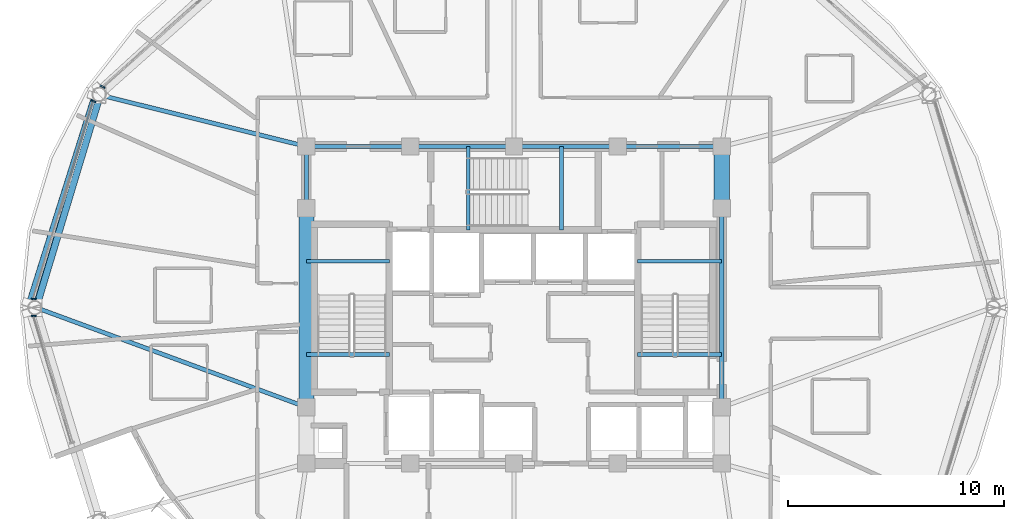
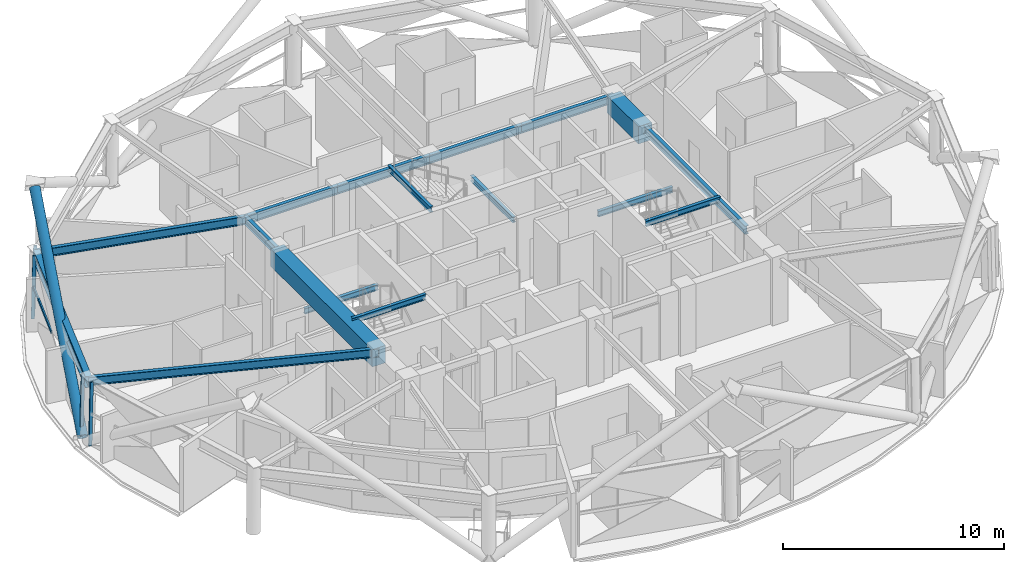
# One storey, part 4 of 18: 17 beams, 6 members, 3 elements without a shape of their own.
"""IFC4 building model written with IfcOpenShell, lengths in metres."""

import ifcopenshell
import ifcopenshell.guid

model = None  # the IFC model being written
_history = None  # IfcOwnerHistory: only IFC2X3 demands one
_inside = {}  # id of a spatial element -> (the spatial element, [elements in it])
_under = {}  # id of a project, library or spatial element -> (it, [spatial elements below it])
_declared = {}  # id of a project -> (the project, [libraries it declares])
_typed = {}  # id of a type object -> (the type object, [elements of that type])
_made_of = {}  # id of a material, layer set ... -> (it, [elements and type objects made of it])


def new_model(schema):
    """Start an empty IFC model of exactly this schema.

    Asked for "IFC4X3", IfcOpenShell would pick the latest addendum, in which some entities
    have other attributes; the version numbers below select the first issue.
    IFC2X3 requires an IfcOwnerHistory on every rooted entity: one is made here for all.
    """
    global model, _history
    if schema == "IFC4X3":
        model = ifcopenshell.file(schema_version=(4, 3, 0, 0))
    else:
        model = ifcopenshell.file(schema=schema)
    _inside.clear()
    _under.clear()
    _declared.clear()
    _typed.clear()
    _made_of.clear()
    _history = None
    if model.schema == "IFC2X3":
        org = make("IfcOrganization", Name="unknown")
        user = make(
            "IfcPersonAndOrganization",
            ThePerson=make("IfcPerson", FamilyName="unknown"),
            TheOrganization=org,
        )
        app = make(
            "IfcApplication",
            ApplicationDeveloper=org,
            Version="unknown",
            ApplicationFullName="unknown",
            ApplicationIdentifier="unknown",
        )
        _history = make(
            "IfcOwnerHistory",
            OwningUser=user,
            OwningApplication=app,
            ChangeAction="ADDED",
            CreationDate=0,
        )
    return model


def make(cls, **values):
    """One entity of the class cls with the attributes given. An attribute that is None is left unset."""
    return model.create_entity(
        cls, **{name: value for name, value in values.items() if value is not None}
    )


def rooted(cls, **values):
    """An entity with a GlobalId (a new one), such as an element, a storey or a relation."""
    return make(cls, GlobalId=ifcopenshell.guid.new(), OwnerHistory=_history, **values)


def si_unit(unit_type, name, prefix=None):
    """IfcSIUnit, for example si_unit("LENGTHUNIT", "METRE", prefix="MILLI")."""
    return make("IfcSIUnit", UnitType=unit_type, Prefix=prefix, Name=name)


def assignment(units):
    """IfcUnitAssignment: the units of a project."""
    return None if units is None else make("IfcUnitAssignment", Units=units)


def point(xyz):
    """IfcCartesianPoint."""
    return None if xyz is None else make("IfcCartesianPoint", Coordinates=xyz)


def direction(xyz):
    """IfcDirection."""
    return None if xyz is None else make("IfcDirection", DirectionRatios=xyz)


def frame(location, z_axis=None, x_axis=None):
    """IfcAxis2Placement3D, a coordinate frame: its origin and axes. An axis left out is left unset."""
    return make(
        "IfcAxis2Placement3D",
        Location=point(location),
        Axis=direction(z_axis),
        RefDirection=direction(x_axis),
    )


def frame_2d(location, x_axis=None):
    """IfcAxis2Placement2D, a coordinate frame in the plane: its origin and x axis."""
    return make(
        "IfcAxis2Placement2D", Location=point(location), RefDirection=direction(x_axis)
    )


def origin():
    """The frame at (0, 0, 0) with its axes left unset."""
    return frame((0.0, 0.0, 0.0))


def origin_2d():
    """The frame at (0, 0) in the plane with its x axis left unset."""
    return frame_2d((0.0, 0.0))


def place(relative_to, where):
    """IfcLocalPlacement: puts the frame where relative to a parent placement (None: the world)."""
    return make(
        "IfcLocalPlacement", PlacementRelTo=relative_to, RelativePlacement=where
    )


def context(
    kind, dimensions, precision=None, world=None, true_north=None, identifier=None
):
    """IfcGeometricRepresentationContext, for example the 3D "Model" context."""
    return make(
        "IfcGeometricRepresentationContext",
        ContextIdentifier=identifier,
        ContextType=kind,
        CoordinateSpaceDimension=dimensions,
        Precision=precision,
        WorldCoordinateSystem=world,
        TrueNorth=true_north,
    )


def subcontext(parent, identifier, kind, view, scale=None):
    """IfcGeometricRepresentationSubContext, for example "Body" below "Model"."""
    return make(
        "IfcGeometricRepresentationSubContext",
        ContextIdentifier=identifier,
        ContextType=kind,
        ParentContext=parent,
        TargetScale=scale,
        TargetView=view,
    )


def project(units=None, contexts=None):
    """IfcProject with its units and contexts."""
    return rooted(
        "IfcProject",
        Name="project",
        RepresentationContexts=contexts,
        UnitsInContext=assignment(units),
    )


def spatial(cls, under=None, at=None, **own):
    """A site, building, storey or space (cls), placed at a placement, below another one or the project."""
    s = rooted(cls, ObjectPlacement=at, **own)
    if under is not None:
        _under.setdefault(under.id(), (under, []))[1].append(s)
    return s


def profile(cls, at=None, kind="AREA", **sizes):
    """A parametric profile (cls). Its sizes go by their IFC names, for example OverallWidth=200.0."""
    return make(cls, ProfileType=kind, Position=at, **sizes)


def rectangle(**sizes):
    """IfcRectangleProfileDef."""
    return profile("IfcRectangleProfileDef", **sizes)


def hollow_rectangle(**sizes):
    """IfcRectangleHollowProfileDef."""
    return profile("IfcRectangleHollowProfileDef", **sizes)


def hollow_circle(**sizes):
    """IfcCircleHollowProfileDef."""
    return profile("IfcCircleHollowProfileDef", **sizes)


def i_section(**sizes):
    """IfcIShapeProfileDef."""
    return profile("IfcIShapeProfileDef", **sizes)


def extrude(swept, where, along, depth):
    """IfcExtrudedAreaSolid: the profile swept, set in the frame where, extruded along a direction by depth."""
    return make(
        "IfcExtrudedAreaSolid",
        SweptArea=swept,
        Position=where,
        ExtrudedDirection=direction(along),
        Depth=depth,
    )


def shape(context_of_items, identifier, shape_type, items):
    """IfcShapeRepresentation: the items that make up one representation, for example the "Body"."""
    return make(
        "IfcShapeRepresentation",
        ContextOfItems=context_of_items,
        RepresentationIdentifier=identifier,
        RepresentationType=shape_type,
        Items=items,
    )


def material(Name=None, Category=None):
    """IfcMaterial."""
    return make("IfcMaterial", Name=Name, Category=Category)


def layer(
    of_material, thickness, ventilated=None, Name=None, Category=None, Priority=None
):
    """IfcMaterialLayer: one layer of a wall or slab, of a material (None: an air gap)."""
    return make(
        "IfcMaterialLayer",
        Material=of_material,
        LayerThickness=thickness,
        IsVentilated=ventilated,
        Name=Name,
        Category=Category,
        Priority=Priority,
    )


def layer_set(layers, Name=None):
    """IfcMaterialLayerSet."""
    return make("IfcMaterialLayerSet", MaterialLayers=layers, LayerSetName=Name)


def material_profile(
    of_material, cross_section, Name=None, Category=None, Priority=None
):
    """IfcMaterialProfile: a cross section and its material."""
    return make(
        "IfcMaterialProfile",
        Name=Name,
        Material=of_material,
        Profile=cross_section,
        Priority=Priority,
        Category=Category,
    )


def profile_set(profiles, Name=None, composite=None):
    """IfcMaterialProfileSet."""
    return make(
        "IfcMaterialProfileSet",
        Name=Name,
        MaterialProfiles=profiles,
        CompositeProfile=composite,
    )


def made_of(thing, what):
    """Note that an element or type object is made of a material, layer set ...; save() writes the relation."""
    if what is not None:
        _made_of.setdefault(what.id(), (what, []))[1].append(thing)
    return thing


def type_object(cls, material=None, **own):
    """A type object (cls), such as IfcWallType, which elements share."""
    return made_of(rooted(cls, **own), material)


def element(
    cls,
    number,
    at=None,
    inside=None,
    cuts=None,
    type_object=None,
    material=None,
    context=None,
    identifier="Body",
    shape_type=None,
    held_by="IfcProductDefinitionShape",
    body=None,
    shapes=None,
    **own,
):
    """One element of the class cls, such as IfcWall. Its Tag is "e" and its number.

    at: its placement. inside: the storey or other place that contains it. cuts: it is an
    opening in that element (IfcRelVoidsElement). A single representation is given by context,
    identifier, shape_type and body (its items); several are given by shapes. held_by: the class
    of the entity that holds the representations. save() writes the other relations.
    """
    e = rooted(cls, Tag="e%d" % number, ObjectPlacement=at, **own)
    if body is not None:
        shapes = [shape(context, identifier, shape_type, body)]
    if shapes is not None:
        e.Representation = make(held_by, Representations=shapes)
    if inside is not None:
        _inside.setdefault(inside.id(), (inside, []))[1].append(e)
    if cuts is not None:
        rooted(
            "IfcRelVoidsElement", RelatingBuildingElement=cuts, RelatedOpeningElement=e
        )
    if type_object is not None:
        _typed.setdefault(type_object.id(), (type_object, []))[1].append(e)
    return made_of(e, material)


def aggregate(whole, parts):
    """IfcRelAggregates: a whole, such as a stair, and the parts it consists of."""
    return rooted("IfcRelAggregates", RelatingObject=whole, RelatedObjects=parts)


def save(model, path):
    """Write the relations noted so far, then the file.

    IfcRelAggregates (storeys below a building ...), IfcRelContainedInSpatialStructure (elements
    in a storey), IfcRelDefinesByType, IfcRelAssociatesMaterial and IfcRelDeclares: one each for
    every whole, place, type object, material and project.
    """
    for whole, parts in _under.values():
        aggregate(whole, parts)
    for where, things in _inside.values():
        rooted(
            "IfcRelContainedInSpatialStructure",
            RelatedElements=things,
            RelatingStructure=where,
        )
    for kind, things in _typed.values():
        rooted("IfcRelDefinesByType", RelatedObjects=things, RelatingType=kind)
    for what, things in _made_of.values():
        rooted("IfcRelAssociatesMaterial", RelatedObjects=things, RelatingMaterial=what)
    for by, libraries in _declared.values():
        rooted("IfcRelDeclares", RelatingContext=by, RelatedDefinitions=libraries)
    model.write(path)


model = new_model("IFC4")

# Units and contexts
model_context = context("Model", 3, precision=1e-05, world=origin(), true_north=direction((0.0, 1.0)))
body_context = subcontext(model_context, "Body", "Model", "MODEL_VIEW")
ifc_project = project(units=[si_unit("LENGTHUNIT", "METRE"), si_unit("AREAUNIT", "SQUARE_METRE"), si_unit("VOLUMEUNIT", "CUBIC_METRE"), si_unit("PLANEANGLEUNIT", "RADIAN"), si_unit("MASSUNIT", "GRAM", prefix="KILO")], contexts=[model_context])

# Site, building, storey
site_placement = place(None, origin())
site = spatial("IfcSite", under=ifc_project, at=site_placement, CompositionType="ELEMENT")
building_placement = place(site_placement, origin())
building = spatial("IfcBuilding", under=site, at=building_placement, Name="Vantalir Tower", CompositionType="ELEMENT")
storey_placement = place(building_placement, frame((0.0, 0.0, 212.39990234375)))
storey = spatial("IfcBuildingStorey", under=building, at=storey_placement, Name="L53", CompositionType="ELEMENT", Elevation=212.39990234375)

# Beams
ifc_material_1 = material(Name="Concrete C60/75", Category="concrete")
ifc_material_profile_1 = material_profile(ifc_material_1, rectangle(XDim=0.699951171875, YDim=0.949951171875, at=origin_2d()), Name="Concrete C60/75")
ifc_profile_set_1 = profile_set([ifc_material_profile_1], Name="Concrete C60/75")
beam_type_1 = type_object("IfcBeamType", Name="BM-CB-700x950", PredefinedType="USERDEFINED", material=ifc_profile_set_1)
beam_1_placement = place(storey_placement, frame((41.10009765625, 29.60009765625, 3.09521484375), z_axis=(0.0, 1.0, 0.0), x_axis=(-1.0, 0.0, 0.0)))
element("IfcBeam", 1, at=beam_1_placement, inside=storey, type_object=beam_type_1, Name="L53 Core Coupling Girder 07", ObjectType="GIRDER", PredefinedType="USERDEFINED", context=body_context, shape_type="SweptSolid", body=[
    extrude(rectangle(XDim=0.699951171875, YDim=0.949951171875, at=origin_2d()), origin(), (0.0, 0.0, 1.0), 2.849853515625),
])
beam_2_placement = place(storey_placement, frame((21.89990234375, 29.60009765625, 3.09521484375), z_axis=(0.0, -1.0, 0.0), x_axis=(1.0, 0.0, 0.0)))
element("IfcBeam", 2, at=beam_2_placement, inside=storey, type_object=beam_type_1, Name="L53 Core Coupling Girder 13", ObjectType="GIRDER", PredefinedType="USERDEFINED", context=body_context, shape_type="SweptSolid", body=[
    extrude(rectangle(XDim=0.699951171875, YDim=0.949951171875, at=origin_2d()), origin(), (0.0, 0.0, 1.0), 9.2001953125),
])
ifc_material_2 = material(Name="Steel S355", Category="steel")
ifc_material_profile_2 = material_profile(ifc_material_2, i_section(OverallWidth=0.166015625, OverallDepth=0.306884765625, WebThickness=0.006591796875, FlangeThickness=0.01171875, at=origin_2d()), Name="Steel S355")
ifc_profile_set_2 = profile_set([ifc_material_profile_2], Name="Steel S355")
beam_type_2 = type_object("IfcBeamType", Name="BM-JS-305x165", PredefinedType="JOIST", material=ifc_profile_set_2)
for number, where, z_axis, x_axis, name in (
    (3, (21.89990234375, 22.8349609375, 3.59619140625), (1.0, 0.0, 0.0), (0.0, 1.0, 0.0), "L54 Stair ST1 Well Nosing Trimmer Beam"),
    (4, (21.89990234375, 27.14501953125, 1.52099609375), (1.0, 0.0, 0.0), (0.0, 1.0, 0.0), "L53 Stair ST1 Half-Landing Support Beam"),
):
    element("IfcBeam", number, at=place(storey_placement, frame(where, z_axis=z_axis, x_axis=x_axis)), inside=storey, type_object=beam_type_2, Name=name, PredefinedType="JOIST", context=body_context, shape_type="SweptSolid", body=[
        extrude(i_section(OverallWidth=0.166015625, OverallDepth=0.306884765625, WebThickness=0.006591796875, FlangeThickness=0.01171875, at=origin_2d()), origin(), (0.0, 0.0, 1.0), 3.840087890625),
    ])
for number, where, z_axis, x_axis, name in (
    (5, (37.2099609375, 22.8349609375, 3.59619140625), (1.0, 0.0, 0.0), (0.0, 1.0, 0.0), "L54 Stair ST2 Well Nosing Trimmer Beam"),
    (6, (37.2099609375, 27.14501953125, 1.52099609375), (1.0, 0.0, 0.0), (0.0, 1.0, 0.0), "L53 Stair ST2 Half-Landing Support Beam"),
):
    element("IfcBeam", number, at=place(storey_placement, frame(where, z_axis=z_axis, x_axis=x_axis)), inside=storey, type_object=beam_type_2, Name=name, PredefinedType="JOIST", context=body_context, shape_type="SweptSolid", body=[
        extrude(i_section(OverallWidth=0.166015625, OverallDepth=0.306884765625, WebThickness=0.006591796875, FlangeThickness=0.01171875, at=origin_2d()), origin(), (0.0, 0.0, 1.0), 3.89013671875),
    ])
for number, where, z_axis, x_axis, name in (
    (7, (29.385009765625, 28.60009765625, 3.59619140625), (0.0, 1.0, 0.0), (-1.0, 0.0, 0.0), "L54 Stair ST3 Well Nosing Trimmer Beam"),
    (8, (33.695068359375, 28.60009765625, 1.52099609375), (0.0, 1.0, 0.0), (-1.0, 0.0, 0.0), "L53 Stair ST3 Half-Landing Support Beam"),
):
    element("IfcBeam", number, at=place(storey_placement, frame(where, z_axis=z_axis, x_axis=x_axis)), inside=storey, type_object=beam_type_2, Name=name, PredefinedType="JOIST", context=body_context, shape_type="SweptSolid", body=[
        extrude(i_section(OverallWidth=0.166015625, OverallDepth=0.306884765625, WebThickness=0.006591796875, FlangeThickness=0.01171875, at=origin_2d()), origin(), (0.0, 0.0, 1.0), 3.849853515625),
    ])
ifc_material_profile_3 = material_profile(ifc_material_2, i_section(OverallWidth=0.19189453125, OverallDepth=0.462890625, WebThickness=0.010498046875, FlangeThickness=0.017578125, at=origin_2d()), Name="Steel S355")
ifc_profile_set_3 = profile_set([ifc_material_profile_3], Name="Steel S355")
beam_type_3 = type_object("IfcBeamType", Name="BM-RB-457x191", PredefinedType="BEAM", material=ifc_profile_set_3)
beam_3_placement = place(storey_placement, frame((41.10009765625, 20.39990234375, 3.338134765625), z_axis=(0.0, 1.0, 0.0), x_axis=(-1.0, 0.0, 0.0)))
element("IfcBeam", 9, at=beam_3_placement, inside=storey, type_object=beam_type_3, Name="L53 Core Coupling Girder 06", PredefinedType="BEAM", context=body_context, shape_type="SweptSolid", body=[
    extrude(i_section(OverallWidth=0.19189453125, OverallDepth=0.462890625, WebThickness=0.010498046875, FlangeThickness=0.017578125, at=origin_2d()), origin(), (0.0, 0.0, 1.0), 9.2001953125),
])
for number, where, z_axis, x_axis, name in (
    (10, (41.10009765625, 32.449951171875, 3.338134765625), (-1.0, 0.0, 0.0), (0.0, -1.0, 0.0), "L53 Core Coupling Girder 08"),
    (11, (36.300048828125, 32.449951171875, 3.338134765625), (-1.0, 0.0, 0.0), (0.0, -1.0, 0.0), "L53 Core Coupling Girder 09"),
    (12, (31.5, 32.449951171875, 3.338134765625), (-1.0, 0.0, 0.0), (0.0, -1.0, 0.0), "L53 Core Coupling Girder 10"),
    (13, (26.699951171875, 32.449951171875, 3.338134765625), (-1.0, 0.0, 0.0), (0.0, -1.0, 0.0), "L53 Core Coupling Girder 11"),
):
    element("IfcBeam", number, at=place(storey_placement, frame(where, z_axis=z_axis, x_axis=x_axis)), inside=storey, type_object=beam_type_3, Name=name, PredefinedType="BEAM", context=body_context, shape_type="SweptSolid", body=[
        extrude(i_section(OverallWidth=0.19189453125, OverallDepth=0.462890625, WebThickness=0.010498046875, FlangeThickness=0.017578125, at=origin_2d()), origin(), (0.0, 0.0, 1.0), 4.800048828125),
    ])
beam_4_placement = place(storey_placement, frame((21.89990234375, 32.449951171875, 3.338134765625), z_axis=(0.0, -1.0, 0.0), x_axis=(1.0, 0.0, 0.0)))
element("IfcBeam", 14, at=beam_4_placement, inside=storey, type_object=beam_type_3, Name="L53 Core Coupling Girder 12", PredefinedType="BEAM", context=body_context, shape_type="SweptSolid", body=[
    extrude(i_section(OverallWidth=0.19189453125, OverallDepth=0.462890625, WebThickness=0.010498046875, FlangeThickness=0.017578125, at=origin_2d()), origin(), (0.0, 0.0, 1.0), 2.849853515625),
])
beam_5_placement = place(storey_placement, frame((12.3720703125, 34.830078125, 3.338134765625), z_axis=(0.970186354862, -0.242360138717, 0.0), x_axis=(0.242360138717, 0.970186354862, 0.0)))
element("IfcBeam", 15, at=beam_5_placement, inside=storey, type_object=beam_type_3, Name="L53 Radial Floor Beam 06", PredefinedType="BEAM", context=body_context, shape_type="SweptSolid", body=[
    extrude(i_section(OverallWidth=0.19189453125, OverallDepth=0.462890625, WebThickness=0.010498046875, FlangeThickness=0.017578125, at=origin_2d()), origin(), (0.0, 0.0, 1.0), 9.820556640625),
])
beam_6_placement = place(storey_placement, frame((9.4130859375, 25.0, 3.338134765625), z_axis=(0.93835063419, -0.345684953846, 0.0), x_axis=(0.345684953846, 0.93835063419, 0.0)))
element("IfcBeam", 16, at=beam_6_placement, inside=storey, type_object=beam_type_3, Name="L53 Radial Floor Beam 07", PredefinedType="BEAM", context=body_context, shape_type="SweptSolid", body=[
    extrude(i_section(OverallWidth=0.19189453125, OverallDepth=0.462890625, WebThickness=0.010498046875, FlangeThickness=0.017578125, at=origin_2d()), origin(), (0.0, 0.0, 1.0), 13.30712890625),
])
ifc_material_3 = material(Name="Steel S460", Category="steel")
ifc_material_profile_4 = material_profile(ifc_material_3, i_section(OverallWidth=0.306884765625, OverallDepth=0.6201171875, WebThickness=0.01416015625, FlangeThickness=0.023681640625, at=origin_2d()), Name="Steel S460")
ifc_profile_set_4 = profile_set([ifc_material_profile_4], Name="Steel S460")
beam_type_4 = type_object("IfcBeamType", Name="BM-RG-610x305", PredefinedType="USERDEFINED", material=ifc_profile_set_4)
beam_7_placement = place(storey_placement, frame((12.3720703125, 34.830078125, 3.260009765625), z_axis=(-0.288237950432, -0.957558814868, 0.0), x_axis=(0.957558814868, -0.288237950432, 0.0)))
element("IfcBeam", 17, at=beam_7_placement, inside=storey, type_object=beam_type_4, Name="L53 Circumferential Ring Girder 06", ObjectType="GIRDER", PredefinedType="USERDEFINED", context=body_context, shape_type="SweptSolid", body=[
    extrude(i_section(OverallWidth=0.306884765625, OverallDepth=0.6201171875, WebThickness=0.01416015625, FlangeThickness=0.023681640625, at=origin_2d()), origin(), (0.0, 0.0, 1.0), 10.265869140625),
])

# Curtain wall, member
ifc_material_4 = material(Name="Champagne-silver PVDF aluminium and double-silver Low-E glass", Category="aluminium")
ifc_layer = layer(ifc_material_4, 0.2099609375)
ifc_layer_set = layer_set([ifc_layer], Name="Champagne-silver PVDF aluminium and double-silver Low-E glass")
curtain_wall_type = type_object("IfcCurtainWallType", Name="CW-DIAMOND-Z3", PredefinedType="USERDEFINED", material=ifc_layer_set)
curtain_wall_1_placement = place(storey_placement, origin())
curtain_wall_1 = element("IfcCurtainWall", 18, at=curtain_wall_1_placement, inside=storey, type_object=curtain_wall_type, Name="L53 Quilted Pyramid-Diamond Curtain Wall S05", ObjectType="UNITISED CURTAIN WALL", PredefinedType="USERDEFINED")
ifc_material_5 = material(Name="Champagne-silver PVDF aluminium 6063-T6", Category="aluminium")
ifc_material_profile_5 = material_profile(ifc_material_5, hollow_rectangle(XDim=0.070068359375, YDim=0.1650390625, WallThickness=0.00390625, at=origin_2d()), Name="Champagne-silver PVDF aluminium 6063-T6")
ifc_profile_set_5 = profile_set([ifc_material_profile_5], Name="Champagne-silver PVDF aluminium 6063-T6")
member_type_1 = type_object("IfcMemberType", Name="CWM-165x70", PredefinedType="MULLION", material=ifc_profile_set_5)
member_1_placement = place(storey_placement, frame((12.448974609375, 35.23095703125, 0.045166015625), z_axis=(0.018657343334, -0.009468952444, 0.99978109728), x_axis=(0.452569338671, 0.891729215455, 0.0)))
member_1 = element("IfcMember", 19, at=member_1_placement, type_object=member_type_1, Name="CW-L53-S05 Mullion 2", PredefinedType="MULLION", context=body_context, shape_type="SweptSolid", body=[
    extrude(hollow_rectangle(XDim=0.070068359375, YDim=0.1650390625, WallThickness=0.00390625, at=origin_2d()), origin(), (0.0, 0.0, 1.0), 3.480712890625),
])
aggregate(curtain_wall_1, [member_1])

# Curtain wall, members
curtain_wall_2_placement = place(storey_placement, origin())
curtain_wall_2 = element("IfcCurtainWall", 20, at=curtain_wall_2_placement, inside=storey, type_object=curtain_wall_type, Name="L53 Quilted Pyramid-Diamond Curtain Wall S06", ObjectType="UNITISED CURTAIN WALL", PredefinedType="USERDEFINED")
member_2_placement = place(storey_placement, frame((12.02490234375, 34.56494140625, 0.045166015625), z_axis=(0.018727459169, -0.009468940029, 0.999779786477), x_axis=(0.451219942999, 0.892412776153, 0.0)))
member_2 = element("IfcMember", 21, at=member_2_placement, type_object=member_type_1, Name="CW-L53-S06 Mullion 1", PredefinedType="MULLION", context=body_context, shape_type="SweptSolid", body=[
    extrude(hollow_rectangle(XDim=0.070068359375, YDim=0.1650390625, WallThickness=0.00390625, at=origin_2d()), origin(), (0.0, 0.0, 1.0), 3.480712890625),
])
member_3_placement = place(storey_placement, frame((9.26708984375, 25.39306640625, 0.045166015625), z_axis=(0.021252389867, 0.0, 0.999774142457), x_axis=(0.0, 1.0, 0.0)))
member_3 = element("IfcMember", 22, at=member_3_placement, type_object=member_type_1, Name="CW-L53-S06 Mullion 2", PredefinedType="MULLION", context=body_context, shape_type="SweptSolid", body=[
    extrude(hollow_rectangle(XDim=0.070068359375, YDim=0.1650390625, WallThickness=0.00390625, at=origin_2d()), origin(), (0.0, 0.0, 1.0), 3.480712890625),
])

# Curtain wall, member
curtain_wall_3_placement = place(storey_placement, origin())
curtain_wall_3 = element("IfcCurtainWall", 23, at=curtain_wall_3_placement, inside=storey, type_object=curtain_wall_type, Name="L53 Quilted Pyramid-Diamond Curtain Wall S07", ObjectType="UNITISED CURTAIN WALL", PredefinedType="USERDEFINED")
member_4_placement = place(storey_placement, frame((9.26708984375, 24.60693359375, 0.045166015625), z_axis=(0.021252389867, 0.0, 0.999774142457), x_axis=(0.0, 1.0, 0.0)))
member_4 = element("IfcMember", 24, at=member_4_placement, type_object=member_type_1, Name="CW-L53-S07 Mullion 1", PredefinedType="MULLION", context=body_context, shape_type="SweptSolid", body=[
    extrude(hollow_rectangle(XDim=0.070068359375, YDim=0.1650390625, WallThickness=0.00390625, at=origin_2d()), origin(), (0.0, 0.0, 1.0), 3.480712890625),
])
aggregate(curtain_wall_3, [member_4])

# Member
ifc_material_profile_6 = material_profile(ifc_material_5, hollow_rectangle(XDim=0.074951171875, YDim=0.159912109375, WallThickness=0.00390625, at=origin_2d()), Name="Champagne-silver PVDF aluminium 6063-T6")
ifc_profile_set_6 = profile_set([ifc_material_profile_6], Name="Champagne-silver PVDF aluminium 6063-T6")
member_type_2 = type_object("IfcMemberType", Name="CWT-160x75", PredefinedType="USERDEFINED", material=ifc_profile_set_6)
member_5_placement = place(storey_placement, frame((12.056884765625, 34.549072265625, 1.78515625), z_axis=(-0.294133059099, -0.955764481211, 0.0), x_axis=(0.955764481211, -0.294133059099, 0.0)))
member_5 = element("IfcMember", 25, at=member_5_placement, type_object=member_type_2, Name="CW-L53-S06 Pyramid Fold Ridge Transom", ObjectType="TRANSOM", PredefinedType="USERDEFINED", context=body_context, shape_type="SweptSolid", body=[
    extrude(hollow_rectangle(XDim=0.074951171875, YDim=0.159912109375, WallThickness=0.00390625, at=origin_2d()), origin(), (0.0, 0.0, 1.0), 3.6337890625),
])

aggregate(curtain_wall_2, [member_2, member_3, member_5])

ifc_material_profile_7 = material_profile(ifc_material_3, hollow_circle(Radius=0.25, WallThickness=0.031982421875, at=origin_2d()), Name="Steel S460")
ifc_profile_set_7 = profile_set([ifc_material_profile_7], Name="Steel S460")
member_type_3 = type_object("IfcMemberType", Name="MEM-DB-500x32", PredefinedType="BRACE", material=ifc_profile_set_7)
member_6_placement = place(storey_placement, frame((9.2041015625, 25.173095703125, 0.205078125), z_axis=(0.247689284708, 0.784834437177, 0.568053628156), x_axis=(-0.953636093044, 0.300962127257, 0.0)))
element("IfcMember", 26, at=member_6_placement, inside=storey, type_object=member_type_3, Name="L53 Perimeter S460 Diagrid Brace R19R", PredefinedType="BRACE", context=body_context, shape_type="SweptSolid", body=[
    extrude(hollow_circle(Radius=0.25, WallThickness=0.031982421875, at=origin_2d()), origin(), (0.0, 0.0, 1.0), 12.164306640625),
])

save(model, "model.ifc")
